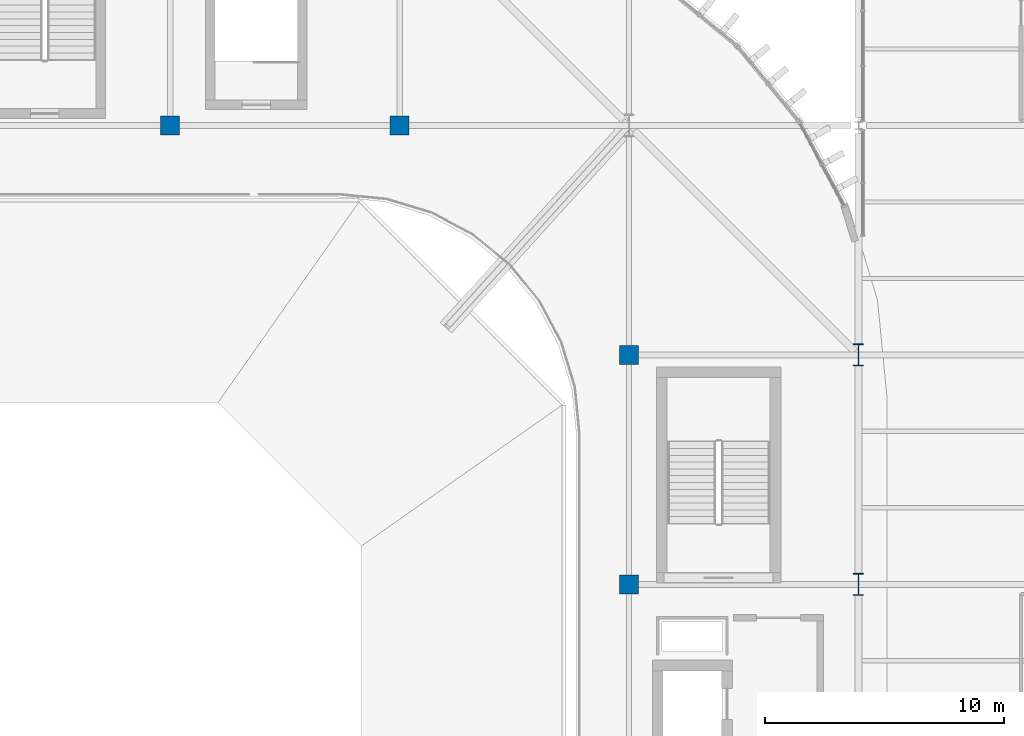
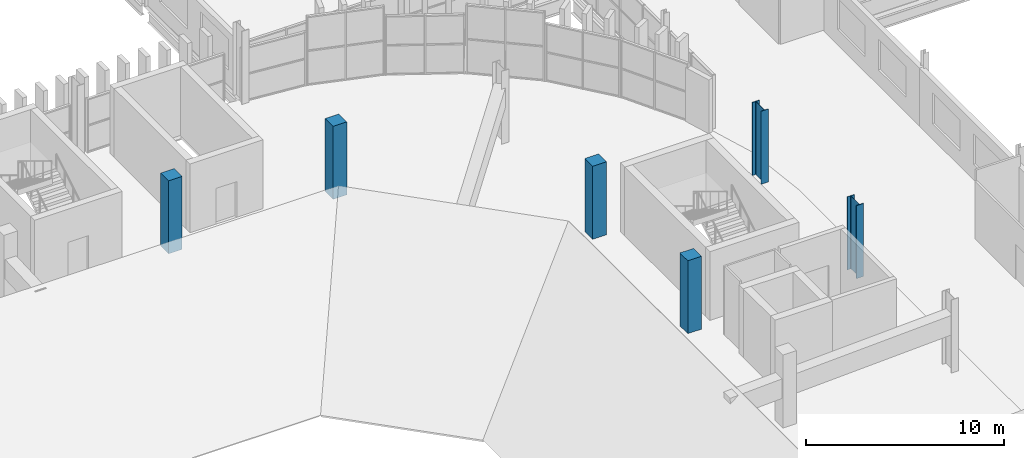
# One storey, part 5 of 69: 6 columns.
"""IFC4 building model written with IfcOpenShell, lengths in metres."""

from ifc_helpers import new_model, si_unit, direction, frame, origin, origin_2d, place, context, subcontext, project, spatial, rectangle, i_section, extrude, material, material_profile, profile_set, type_object, element, save


model = new_model("IFC4")

# Units and contexts
model_context = context("Model", 3, precision=1e-05, world=origin(), true_north=direction((0.0, 1.0)))
body_context = subcontext(model_context, "Body", "Model", "MODEL_VIEW")
ifc_project = project(units=[si_unit("LENGTHUNIT", "METRE"), si_unit("AREAUNIT", "SQUARE_METRE"), si_unit("VOLUMEUNIT", "CUBIC_METRE"), si_unit("PLANEANGLEUNIT", "RADIAN"), si_unit("MASSUNIT", "GRAM", prefix="KILO")], contexts=[model_context])

# Site, building, storey
site_placement = place(None, origin())
site = spatial("IfcSite", under=ifc_project, at=site_placement, CompositionType="ELEMENT")
building_placement = place(site_placement, origin())
building = spatial("IfcBuilding", under=site, at=building_placement, Name="Caelomonte Colonnade Arena", CompositionType="ELEMENT")
storey_placement = place(building_placement, frame((0.0, 0.0, 18.60009765625)))
storey = spatial("IfcBuildingStorey", under=building, at=storey_placement, Name="L04", CompositionType="ELEMENT", Elevation=18.60009765625)

# Columns
ifc_material_1 = material(Name="Concrete C40/50", Category="concrete")
ifc_material_profile_1 = material_profile(ifc_material_1, rectangle(XDim=0.800048828125, YDim=0.800048828125, at=origin_2d()), Name="RC800X800")
ifc_profile_set_1 = profile_set([ifc_material_profile_1], Name="Concrete C40/50")
column_type_1 = type_object("IfcColumnType", Name="STR-COL-RC08", PredefinedType="COLUMN", material=ifc_profile_set_1)
for number, where, z_axis, x_axis, name in (
    (1, (134.39990234375, 105.60009765625, 0.0), (0.0, 0.0, 1.0), (1.0, 0.0, 0.0), "L04 column (134.4, 105.6)"),
    (2, (144.0, 105.60009765625, 0.0), (0.0, 0.0, 1.0), (1.0, 0.0, 0.0), "L04 column (144.0, 105.6)"),
    (3, (153.60009765625, 86.39990234375, 0.0), (0.0, 0.0, 1.0), (1.0, 0.0, 0.0), "L04 column (153.6, 86.4)"),
    (4, (153.60009765625, 96.0, 0.0), (0.0, 0.0, 1.0), (1.0, 0.0, 0.0), "L04 column (153.6, 96.0)"),
):
    element("IfcColumn", number, at=place(storey_placement, frame(where, z_axis=z_axis, x_axis=x_axis)), inside=storey, type_object=column_type_1, Name=name, PredefinedType="COLUMN", context=body_context, shape_type="SweptSolid", body=[
        extrude(rectangle(XDim=0.800048828125, YDim=0.800048828125, at=origin_2d()), origin(), (0.0, 0.0, 1.0), 4.5),
    ])
ifc_material_2 = material(Name="Wide-flange steel ASTM A992 Grade 50", Category="steel")
ifc_material_profile_2 = material_profile(ifc_material_2, i_section(OverallWidth=0.418212890625, OverallDepth=0.927001953125, WebThickness=0.019287109375, FlangeThickness=0.031982421875, FilletRadius=0.024169921875, at=origin_2d()), Name="W36X231")
ifc_profile_set_2 = profile_set([ifc_material_profile_2], Name="Wide-flange steel ASTM A992 Grade 50")
column_type_2 = type_object("IfcColumnType", Name="STR-COL-W36B", PredefinedType="COLUMN", material=ifc_profile_set_2)
for number, where, z_axis, x_axis, name in (
    (5, (163.199951171875, 86.39990234375, 0.0), (0.0, 0.0, 1.0), (1.0, 0.0, 0.0), "L04 column (163.2, 86.4)"),
    (6, (163.199951171875, 96.0, 0.0), (0.0, 0.0, 1.0), (1.0, 0.0, 0.0), "L04 column (163.2, 96.0)"),
):
    element("IfcColumn", number, at=place(storey_placement, frame(where, z_axis=z_axis, x_axis=x_axis)), inside=storey, type_object=column_type_2, Name=name, PredefinedType="COLUMN", context=body_context, shape_type="SweptSolid", body=[
        extrude(i_section(OverallWidth=0.418212890625, OverallDepth=0.927001953125, WebThickness=0.019287109375, FlangeThickness=0.031982421875, FilletRadius=0.024169921875, at=origin_2d()), origin(), (0.0, 0.0, 1.0), 4.5),
    ])

save(model, "model.ifc")
